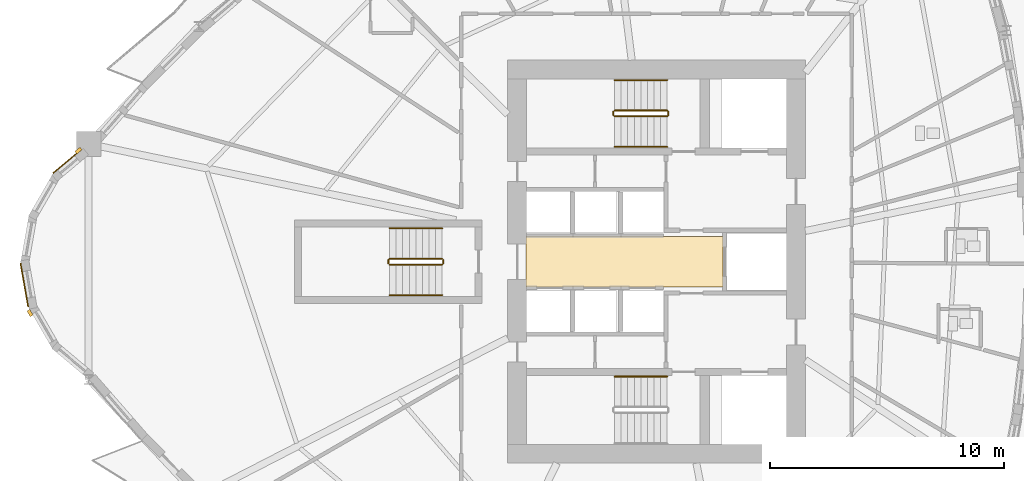
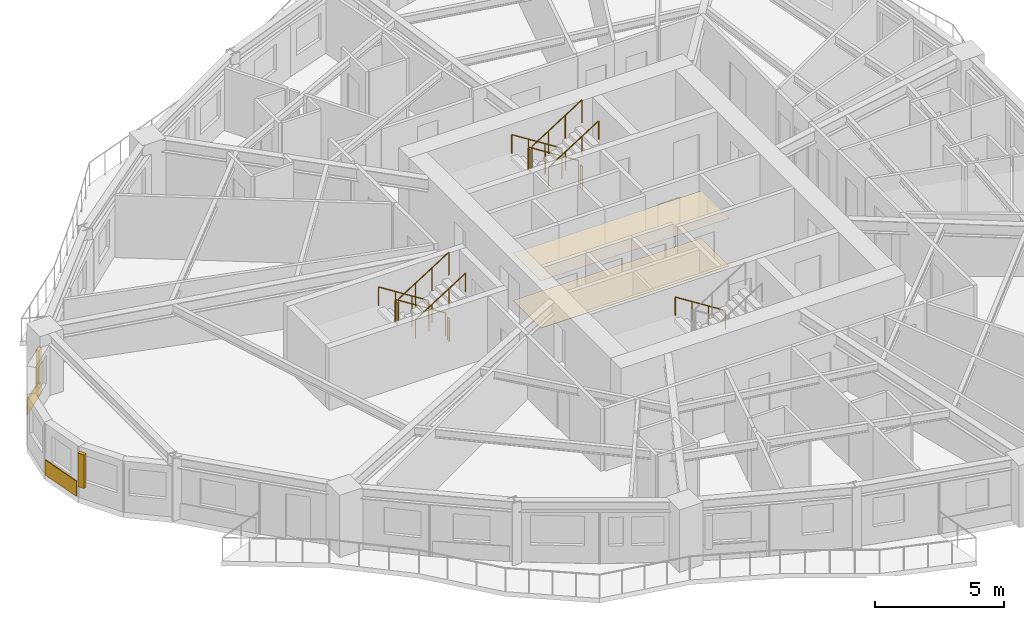
# One storey, part 11 of 13: 13 railings, 4 coverings, 2 shading devices.
"""IFC4 building model written with IfcOpenShell, lengths in metres."""

from ifc_helpers import new_model, si_unit, direction, frame, origin, origin_2d, place, context, subcontext, project, spatial, polyline, rectangle, circle, outline, extrude, source, transform, mapped, material, layer, layer_set, type_object, element, save


model = new_model("IFC4")

# Units and contexts
model_context = context("Model", 3, precision=1e-05, world=origin(), true_north=direction((0.0, 1.0)))
body_context = subcontext(model_context, "Body", "Model", "MODEL_VIEW")
ifc_project = project(units=[si_unit("LENGTHUNIT", "METRE"), si_unit("AREAUNIT", "SQUARE_METRE"), si_unit("VOLUMEUNIT", "CUBIC_METRE"), si_unit("PLANEANGLEUNIT", "RADIAN"), si_unit("MASSUNIT", "GRAM", prefix="KILO")], contexts=[model_context])

# Site, building, storey
site_placement = place(None, origin())
site = spatial("IfcSite", under=ifc_project, at=site_placement, CompositionType="ELEMENT")
building_placement = place(site_placement, origin())
building = spatial("IfcBuilding", under=site, at=building_placement, Name="Qafzar Sky-Pleat Residences", CompositionType="ELEMENT")
storey_placement = place(building_placement, frame((0.0, 0.0, 52.60009765625)))
storey = spatial("IfcBuildingStorey", under=building, at=storey_placement, Name="L15", CompositionType="ELEMENT", Elevation=52.60009765625)

# Coverings
ifc_material_1 = material(Name="Perforated acoustic gypsum board ceiling")
ifc_layer_1 = layer(ifc_material_1, 0.02001953125)
ifc_layer_set_1 = layer_set([ifc_layer_1], Name="Perforated acoustic gypsum board ceiling")
covering_type_1 = type_object("IfcCoveringType", Name="COV-CEIL-ACOUSTIC", PredefinedType="CEILING", material=ifc_layer_set_1)
covering_1_placement = place(storey_placement, frame((0.0, 0.0, 2.239990234375)))
element("IfcCovering", 1, at=covering_1_placement, inside=storey, type_object=covering_type_1, Name="L15 Passenger Lift Lobby Acoustic Ceiling", PredefinedType="CEILING", context=body_context, shape_type="SweptSolid", body=[
    extrude(outline(polyline([(33.179931640625, 24.919921875), (24.77001953125, 24.919921875), (24.77001953125, 27.080078125), (33.179931640625, 27.080078125), (33.179931640625, 24.919921875)])), origin(), (0.0, 0.0, 1.0), 0.02001953125),
])
ifc_material_2 = material(Name="Honed porcelain and Riyadh stone tile flooring", Category="masonry")
ifc_layer_2 = layer(ifc_material_2, 0.02001953125)
ifc_layer_set_2 = layer_set([ifc_layer_2], Name="Honed porcelain and Riyadh stone tile flooring")
covering_type_2 = type_object("IfcCoveringType", Name="COV-FLR-PORCELAIN", PredefinedType="FLOORING", material=ifc_layer_set_2)
covering_2_placement = place(storey_placement, origin())
element("IfcCovering", 2, at=covering_2_placement, inside=storey, type_object=covering_type_2, Name="L15 Passenger Lift Lobby Honed Stone Flooring", PredefinedType="FLOORING", context=body_context, shape_type="SweptSolid", body=[
    extrude(outline(polyline([(33.179931640625, 24.919921875), (24.77001953125, 24.919921875), (24.77001953125, 27.080078125), (33.179931640625, 27.080078125), (33.179931640625, 24.919921875)])), origin(), (0.0, 0.0, 1.0), 0.02001953125),
])
ifc_material_3 = material(Name="Honed Riyadh Tuwaiq limestone cladding", Category="masonry")
ifc_layer_3 = layer(ifc_material_3, 0.044921875)
ifc_layer_set_3 = layer_set([ifc_layer_3], Name="Honed Riyadh Tuwaiq limestone cladding")
covering_type_3 = type_object("IfcCoveringType", Name="COV-CLAD-STONE", PredefinedType="CLADDING", material=ifc_layer_set_3)
shared_shape_1 = source(origin(), body_context, "Body", "SweptSolid", [
    extrude(rectangle(XDim=1.5771484375, YDim=0.044921875, at=origin_2d()), origin(), (0.0, 0.0, 1.0), 0.719970703125),
])
covering_3_placement = place(storey_placement, frame((5.204833984375, 30.28369140625, 0.02001953125), z_axis=(0.0, 0.0, 1.0), x_axis=(-0.766074606481, -0.642751660678, 0.0)))
element("IfcCovering", 3, at=covering_3_placement, inside=storey, type_object=covering_type_3, Name="L15 Riyadh Limestone Spandrel Cladding 1", PredefinedType="CLADDING", context=body_context, shape_type="MappedRepresentation", body=[
    mapped(shared_shape_1, transform((0.0, 0.0, 0.0), x_axis=(1.0, 0.0, 0.0), y_axis=(0.0, 1.0, 0.0), z_axis=(0.0, 0.0, 1.0), scale=1.0)),
])

# Shading devices
ifc_material_4 = material(Name="Honed Riyadh limestone solar fin", Category="masonry")
ifc_layer_4 = layer(ifc_material_4, 0.139892578125)
ifc_layer_set_4 = layer_set([ifc_layer_4], Name="Honed Riyadh limestone solar fin")
shading_device_type = type_object("IfcShadingDeviceType", Name="SHD-FIN-STONE", PredefinedType="SHUTTER", material=ifc_layer_set_4)
shared_shape_2 = source(origin(), body_context, "Body", "SweptSolid", [
    extrude(rectangle(XDim=0.139892578125, YDim=0.280029296875, at=origin_2d()), origin(), (0.0, 0.0, 1.0), 1.60009765625),
])
for number, where, z_axis, x_axis, name in (
    (4, (5.682861328125, 30.740966796875, 0.599853515625), (0.0, 0.0, 1.0), (-0.642754210861, 0.76607246682, 0.0), "L15 Limestone Solar Fin 1"),
    (5, (3.614501953125, 23.80859375, 0.599853515625), (0.0, 0.0, 1.0), (-0.86604422228, -0.499967403994, 0.0), "L15 Limestone Solar Fin 5"),
):
    element("IfcShadingDevice", number, at=place(storey_placement, frame(where, z_axis=z_axis, x_axis=x_axis)), inside=storey, type_object=shading_device_type, Name=name, PredefinedType="SHUTTER", context=body_context, shape_type="MappedRepresentation", body=[
        mapped(shared_shape_2, transform((0.0, 0.0, 0.0), x_axis=(1.0, 0.0, 0.0), y_axis=(0.0, 1.0, 0.0), z_axis=(0.0, 0.0, 1.0), scale=1.0)),
    ])

# Covering
shared_shape_3 = source(origin(), body_context, "Body", "SweptSolid", [
    extrude(rectangle(XDim=1.88134765625, YDim=0.044921875, at=origin_2d()), origin(), (0.0, 0.0, 1.0), 0.719970703125),
])
covering_4_placement = place(storey_placement, frame((3.373291015625, 25.00439453125, 0.02001953125), z_axis=(0.0, 0.0, 1.0), x_axis=(0.173662519465, -0.984805224059, 0.0)))
element("IfcCovering", 6, at=covering_4_placement, inside=storey, type_object=covering_type_3, Name="L15 Riyadh Limestone Spandrel Cladding 4", PredefinedType="CLADDING", context=body_context, shape_type="MappedRepresentation", body=[
    mapped(shared_shape_3, transform((0.0, 0.0, 0.0), x_axis=(1.0, 0.0, 0.0), y_axis=(0.0, 1.0, 0.0), z_axis=(0.0, 0.0, 1.0), scale=1.0)),
])

# Railings
ifc_material_5 = material(Name="Painted Steel S355 stair guardrail", Category="steel")
railing_type_1 = type_object("IfcRailingType", Name="RAIL-STAIR-GUARD", PredefinedType="GUARDRAIL", material=ifc_material_5)
shared_shape_4 = source(origin(), body_context, "Body", "SweptSolid", [
    extrude(circle(Radius=0.02392578125, at=origin_2d()), frame((0.0, 0.0, 1.076171875), z_axis=(0.0, -1.0, 0.0), x_axis=(1.0, 0.0, 0.0)), (0.0, 0.0, 1.0), 0.14990234375),
    extrude(circle(Radius=0.02099609375, at=origin_2d()), origin(), (0.0, 0.0, 1.0), 1.052001953125),
    extrude(circle(Radius=0.02099609375, at=origin_2d()), frame((0.0, -0.14990234375, 0.0)), (0.0, 0.0, 1.0), 1.052001953125),
])
for number, where, name in (
    (7, (28.510009765625, 32.39990234375, 1.599853515625), "L15 ST2 stair guard 2"),
    (8, (30.85009765625, 32.39990234375, 0.0), "L15 ST2 stair guard 4"),
    (9, (18.909912109375, 26.074951171875, 1.599853515625), "L15 ST3 stair guard 2"),
    (10, (21.25, 26.074951171875, 0.0), "L15 ST3 stair guard 4"),
):
    element("IfcRailing", number, at=place(storey_placement, frame(where)), inside=storey, type_object=railing_type_1, Name=name, PredefinedType="GUARDRAIL", context=body_context, shape_type="MappedRepresentation", body=[
        mapped(shared_shape_4, transform((0.0, 0.0, 0.0), x_axis=(1.0, 0.0, 0.0), y_axis=(0.0, 1.0, 0.0), z_axis=(0.0, 0.0, 1.0), scale=1.0)),
    ])
shared_shape_5 = source(origin(), body_context, "Body", "SweptSolid", [
    extrude(circle(Radius=0.02392578125, at=origin_2d()), frame((0.0, 0.0, 1.076171875), z_axis=(-0.8442293374, 0.0, 0.53598211339), x_axis=(0.0, -1.0, 0.0)), (0.0, 0.0, 1.0), 2.6533203125),
    extrude(circle(Radius=0.02099609375, at=origin_2d()), origin(), (0.0, 0.0, 1.0), 1.052001953125),
    extrude(circle(Radius=0.02099609375, at=origin_2d()), frame((-0.74658203125, 0.0, 0.47412109375)), (0.0, 0.0, 1.0), 1.052001953125),
    extrude(circle(Radius=0.02099609375, at=origin_2d()), frame((-1.493408203125, 0.0, 0.947998046875)), (0.0, 0.0, 1.0), 1.052001953125),
    extrude(circle(Radius=0.02099609375, at=origin_2d()), frame((-2.239990234375, 0.0, 1.422119140625)), (0.0, 0.0, 1.0), 1.052001953125),
])
for number, where, name in (
    (11, (30.800048828125, 32.449951171875, 0.177734375), "L15 ST2 stair guard 1"),
    (12, (21.199951171875, 26.125, 0.177734375), "L15 ST3 stair guard 1"),
):
    element("IfcRailing", number, at=place(storey_placement, frame(where)), inside=storey, type_object=railing_type_1, Name=name, PredefinedType="GUARDRAIL", context=body_context, shape_type="MappedRepresentation", body=[
        mapped(shared_shape_5, transform((0.0, 0.0, 0.0), x_axis=(1.0, 0.0, 0.0), y_axis=(0.0, 1.0, 0.0), z_axis=(0.0, 0.0, 1.0), scale=1.0)),
    ])
ifc_material_6 = material(Name="Brushed stainless steel handrail", Category="steel")
railing_type_2 = type_object("IfcRailingType", Name="RAIL-STAIR-HAND", PredefinedType="HANDRAIL", material=ifc_material_6)
shared_shape_6 = source(origin(), body_context, "Body", "SweptSolid", [
    extrude(circle(Radius=0.02392578125, at=origin_2d()), frame((0.0, 0.0, 0.8759765625), z_axis=(-0.8442293374, 0.0, 0.53598211339), x_axis=(0.0, -1.0, 0.0)), (0.0, 0.0, 1.0), 2.6533203125),
    extrude(circle(Radius=0.02099609375, at=origin_2d()), origin(), (0.0, 0.0, 1.0), 0.851806640625),
    extrude(circle(Radius=0.02099609375, at=origin_2d()), frame((-0.74658203125, 0.0, 0.47412109375)), (0.0, 0.0, 1.0), 0.851806640625),
    extrude(circle(Radius=0.02099609375, at=origin_2d()), frame((-1.493408203125, 0.0, 0.947998046875)), (0.0, 0.0, 1.0), 0.851806640625),
    extrude(circle(Radius=0.02099609375, at=origin_2d()), frame((-2.239990234375, 0.0, 1.422119140625)), (0.0, 0.0, 1.0), 0.851806640625),
])
for number, where, name in (
    (13, (30.800048828125, 21.10009765625, 0.177734375), "L15 ST1 stair handrail 1"),
    (14, (30.800048828125, 33.75, 0.177734375), "L15 ST2 stair handrail 1"),
    (15, (21.199951171875, 27.425048828125, 0.177734375), "L15 ST3 stair handrail 1"),
):
    element("IfcRailing", number, at=place(storey_placement, frame(where)), inside=storey, type_object=railing_type_2, Name=name, PredefinedType="HANDRAIL", context=body_context, shape_type="MappedRepresentation", body=[
        mapped(shared_shape_6, transform((0.0, 0.0, 0.0), x_axis=(1.0, 0.0, 0.0), y_axis=(0.0, 1.0, 0.0), z_axis=(0.0, 0.0, 1.0), scale=1.0)),
    ])
shared_shape_7 = source(origin(), body_context, "Body", "SweptSolid", [
    extrude(circle(Radius=0.02392578125, at=origin_2d()), frame((0.0, 0.0, 1.076171875), z_axis=(0.84418770128, 0.0, 0.536047689118), x_axis=(0.0, 1.0, 0.0)), (0.0, 0.0, 1.0), 2.6533203125),
    extrude(circle(Radius=0.02099609375, at=origin_2d()), origin(), (0.0, 0.0, 1.0), 1.052001953125),
    extrude(circle(Radius=0.02099609375, at=origin_2d()), frame((0.74658203125, 0.0, 0.47412109375)), (0.0, 0.0, 1.0), 1.052001953125),
    extrude(circle(Radius=0.02099609375, at=origin_2d()), frame((1.493408203125, 0.0, 0.9482421875)), (0.0, 0.0, 1.0), 1.052001953125),
    extrude(circle(Radius=0.02099609375, at=origin_2d()), frame((2.239990234375, 0.0, 1.42236328125)), (0.0, 0.0, 1.0), 1.052001953125),
])
for number, where, name in (
    (16, (28.56005859375, 32.199951171875, 1.777587890625), "L15 ST2 stair guard 3"),
    (17, (18.9599609375, 25.875, 1.777587890625), "L15 ST3 stair guard 3"),
):
    element("IfcRailing", number, at=place(storey_placement, frame(where)), inside=storey, type_object=railing_type_1, Name=name, PredefinedType="GUARDRAIL", context=body_context, shape_type="MappedRepresentation", body=[
        mapped(shared_shape_7, transform((0.0, 0.0, 0.0), x_axis=(1.0, 0.0, 0.0), y_axis=(0.0, 1.0, 0.0), z_axis=(0.0, 0.0, 1.0), scale=1.0)),
    ])
shared_shape_8 = source(origin(), body_context, "Body", "SweptSolid", [
    extrude(circle(Radius=0.02392578125, at=origin_2d()), frame((0.0, 0.0, 0.8759765625), z_axis=(0.84418770128, 0.0, 0.536047689118), x_axis=(0.0, 1.0, 0.0)), (0.0, 0.0, 1.0), 2.6533203125),
    extrude(circle(Radius=0.02099609375, at=origin_2d()), origin(), (0.0, 0.0, 1.0), 0.851806640625),
    extrude(circle(Radius=0.02099609375, at=origin_2d()), frame((0.74658203125, 0.0, 0.47412109375)), (0.0, 0.0, 1.0), 0.851806640625),
    extrude(circle(Radius=0.02099609375, at=origin_2d()), frame((1.493408203125, 0.0, 0.9482421875)), (0.0, 0.0, 1.0), 0.851806640625),
    extrude(circle(Radius=0.02099609375, at=origin_2d()), frame((2.239990234375, 0.0, 1.42236328125)), (0.0, 0.0, 1.0), 0.851806640625),
])
for number, where, name in (
    (18, (28.56005859375, 30.89990234375, 1.777587890625), "L15 ST2 stair handrail 2"),
    (19, (18.9599609375, 24.574951171875, 1.777587890625), "L15 ST3 stair handrail 2"),
):
    element("IfcRailing", number, at=place(storey_placement, frame(where)), inside=storey, type_object=railing_type_2, Name=name, PredefinedType="HANDRAIL", context=body_context, shape_type="MappedRepresentation", body=[
        mapped(shared_shape_8, transform((0.0, 0.0, 0.0), x_axis=(1.0, 0.0, 0.0), y_axis=(0.0, 1.0, 0.0), z_axis=(0.0, 0.0, 1.0), scale=1.0)),
    ])

save(model, "model.ifc")
